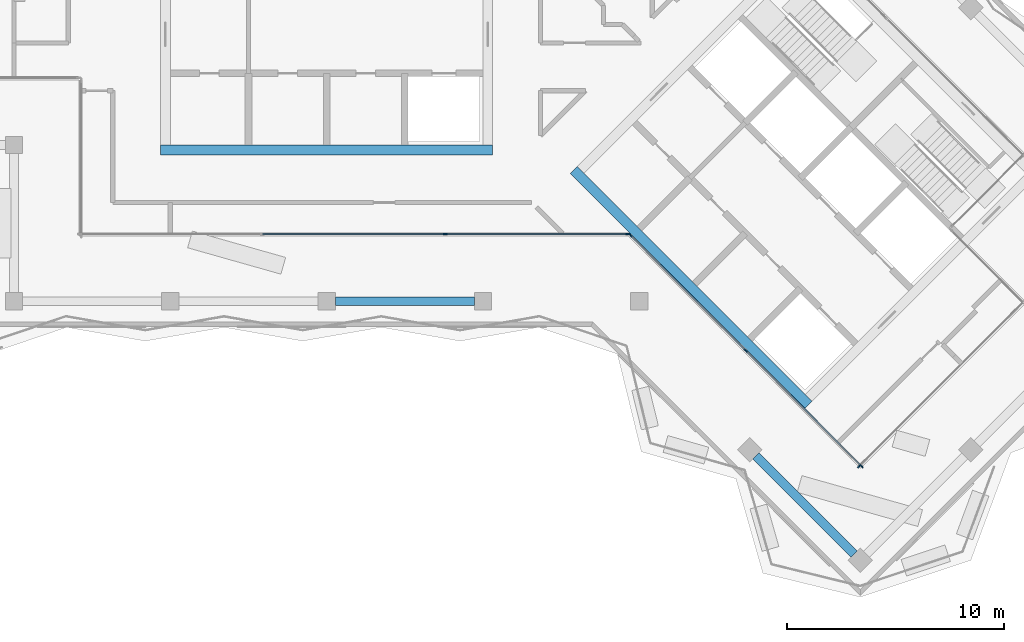
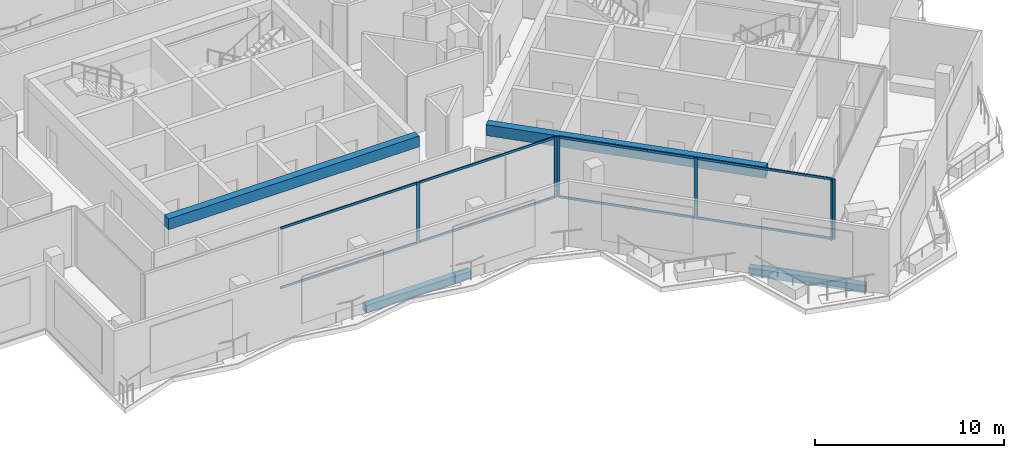
# One storey, part 3 of 19: 14 members, 4 beams, 3 elements without a shape of their own.
"""IFC4 building model written with IfcOpenShell, lengths in metres."""

from ifc_helpers import new_model, si_unit, direction, frame, origin, origin_2d, place, context, subcontext, project, spatial, rectangle, extrude, material, material_profile, profile_set, type_object, element, aggregate, save


model = new_model("IFC4")

# Units and contexts
model_context = context("Model", 3, precision=1e-05, world=origin(), true_north=direction((0.0, 1.0)))
body_context = subcontext(model_context, "Body", "Model", "MODEL_VIEW")
ifc_project = project(units=[si_unit("LENGTHUNIT", "METRE"), si_unit("AREAUNIT", "SQUARE_METRE"), si_unit("VOLUMEUNIT", "CUBIC_METRE"), si_unit("PLANEANGLEUNIT", "RADIAN"), si_unit("MASSUNIT", "GRAM", prefix="KILO")], contexts=[model_context])

# Site, building, storey
site_placement = place(None, origin())
site = spatial("IfcSite", under=ifc_project, at=site_placement, CompositionType="ELEMENT")
building_placement = place(site_placement, origin())
building = spatial("IfcBuilding", under=site, at=building_placement, Name="Windrow Commons", CompositionType="ELEMENT")
storey_placement = place(building_placement, frame((0.0, 0.0, 230.4)))
storey = spatial("IfcBuildingStorey", under=building, at=storey_placement, Name="L63", CompositionType="ELEMENT", Elevation=230.4)

# Curtain wall, members
ifc_material_1 = material(Name="Clear laminated glass in Aluminium 6063-T6 anodised frame", Category="aluminium")
curtain_wall_type = type_object("IfcCurtainWallType", Name="Curtain wall CW2H sky lounge upper", PredefinedType="USERDEFINED", material=ifc_material_1)
placement = place(storey_placement, origin())
curtain_wall_1 = element("IfcCurtainWall", 1, at=placement, inside=storey, type_object=curtain_wall_type, Name="Curtain wall CW2H L63 12", ObjectType="UNITISED", PredefinedType="USERDEFINED")
ifc_material_2 = material(Name="Aluminium 6063-T6", Category="aluminium")
ifc_material_profile_1 = material_profile(ifc_material_2, rectangle(XDim=0.06, YDim=0.2, at=origin_2d()))
ifc_profile_set_1 = profile_set([ifc_material_profile_1], Name="Aluminium 6063-T6")
member_type_1 = type_object("IfcMemberType", Name="CW2H mullion 60x200", PredefinedType="MULLION", material=ifc_profile_set_1)
member_1_placement = place(storey_placement, frame((70.2637, 46.3, 0.0), z_axis=(0.0, 0.0, 1.0), x_axis=(0.0, 1.0, 0.0)))
member_1 = element("IfcMember", 2, at=member_1_placement, type_object=member_type_1, Name="CW2H mullion 3", PredefinedType="MULLION", context=body_context, shape_type="SweptSolid", body=[
    extrude(rectangle(XDim=0.06, YDim=0.2, at=origin_2d()), origin(), (0.0, 0.0, 1.0), 3.9),
])
member_2_placement = place(storey_placement, frame((78.6656, 46.3, 0.0), z_axis=(0.0, 0.0, 1.0), x_axis=(0.0, 1.0, 0.0)))
member_2 = element("IfcMember", 3, at=member_2_placement, type_object=member_type_1, Name="CW2H mullion 4", PredefinedType="MULLION", context=body_context, shape_type="SweptSolid", body=[
    extrude(rectangle(XDim=0.06, YDim=0.2, at=origin_2d()), origin(), (0.0, 0.0, 1.0), 3.9),
])

curtain_wall_2 = element("IfcCurtainWall", 4, at=placement, inside=storey, type_object=curtain_wall_type, Name="Curtain wall CW2H L63 13", ObjectType="UNITISED", PredefinedType="USERDEFINED")
member_3_placement = place(storey_placement, frame((78.7875, 46.2495, 0.0), z_axis=(0.0, 0.0, 1.0), x_axis=(0.7071067812, 0.7071067812, 0.0)))
member_3 = element("IfcMember", 5, at=member_3_placement, type_object=member_type_1, Name="CW2H mullion 1", PredefinedType="MULLION", context=body_context, shape_type="SweptSolid", body=[
    extrude(rectangle(XDim=0.06, YDim=0.2, at=origin_2d()), origin(), (0.0, 0.0, 1.0), 3.9),
])
member_4_placement = place(storey_placement, frame((84.1097, 40.9274, 0.0), z_axis=(0.0, 0.0, 1.0), x_axis=(0.7071067812, 0.7071067812, 0.0)))
member_4 = element("IfcMember", 6, at=member_4_placement, type_object=member_type_1, Name="CW2H mullion 2", PredefinedType="MULLION", context=body_context, shape_type="SweptSolid", body=[
    extrude(rectangle(XDim=0.06, YDim=0.2, at=origin_2d()), origin(), (0.0, 0.0, 1.0), 3.9),
])
member_5_placement = place(storey_placement, frame((89.4318, 35.6052, 0.0), z_axis=(0.0, 0.0, 1.0), x_axis=(0.7071067812, 0.7071067812, 0.0)))
member_5 = element("IfcMember", 7, at=member_5_placement, type_object=member_type_1, Name="CW2H mullion 3", PredefinedType="MULLION", context=body_context, shape_type="SweptSolid", body=[
    extrude(rectangle(XDim=0.06, YDim=0.2, at=origin_2d()), origin(), (0.0, 0.0, 1.0), 3.9),
])

# Curtain wall, member
curtain_wall_3 = element("IfcCurtainWall", 8, at=placement, inside=storey, type_object=curtain_wall_type, Name="Curtain wall CW2H L63 14", ObjectType="UNITISED", PredefinedType="USERDEFINED")
member_6_placement = place(storey_placement, frame((89.3328, 35.6052, 0.0), z_axis=(0.0, 0.0, 1.0), x_axis=(-0.7071021515, 0.7071114108, 0.0)))
member_6 = element("IfcMember", 9, at=member_6_placement, type_object=member_type_1, Name="CW2H mullion 1", PredefinedType="MULLION", context=body_context, shape_type="SweptSolid", body=[
    extrude(rectangle(XDim=0.06, YDim=0.2, at=origin_2d()), origin(), (0.0, 0.0, 1.0), 3.9),
])
aggregate(curtain_wall_3, [member_6])

# Member
ifc_material_3 = material(Name="Aluminium 6063-T6", Category="aluminium")
ifc_material_profile_2 = material_profile(ifc_material_3, rectangle(XDim=0.06, YDim=0.15, at=origin_2d()))
ifc_profile_set_2 = profile_set([ifc_material_profile_2], Name="Aluminium 6063-T6")
member_type_2 = type_object("IfcMemberType", Name="CW2H transom 60x150", PredefinedType="USERDEFINED", material=ifc_profile_set_2)
member_7_placement = place(storey_placement, frame((61.8619, 46.3, 0.03), z_axis=(1.0, 0.0, 0.0), x_axis=(0.0, 1.0, 0.0)))
member_7 = element("IfcMember", 10, at=member_7_placement, type_object=member_type_2, Name="CW2H transom 2.1", ObjectType="TRANSOM", PredefinedType="USERDEFINED", context=body_context, shape_type="SweptSolid", body=[
    extrude(rectangle(XDim=0.06, YDim=0.15, at=origin_2d()), origin(), (0.0, 0.0, 1.0), 8.3718),
])

member_8_placement = place(storey_placement, frame((61.8619, 46.3, 3.87), z_axis=(1.0, 0.0, 0.0), x_axis=(0.0, 1.0, 0.0)))
member_8 = element("IfcMember", 11, at=member_8_placement, type_object=member_type_2, Name="CW2H transom 2.2", ObjectType="TRANSOM", PredefinedType="USERDEFINED", context=body_context, shape_type="SweptSolid", body=[
    extrude(rectangle(XDim=0.06, YDim=0.15, at=origin_2d()), origin(), (0.0, 0.0, 1.0), 8.3718),
])

member_9_placement = place(storey_placement, frame((70.2937, 46.3, 0.03), z_axis=(1.0, 0.0, 0.0), x_axis=(0.0, 1.0, 0.0)))
member_9 = element("IfcMember", 12, at=member_9_placement, type_object=member_type_2, Name="CW2H transom 3.1", ObjectType="TRANSOM", PredefinedType="USERDEFINED", context=body_context, shape_type="SweptSolid", body=[
    extrude(rectangle(XDim=0.06, YDim=0.15, at=origin_2d()), origin(), (0.0, 0.0, 1.0), 8.3419),
])

member_10_placement = place(storey_placement, frame((70.2937, 46.3, 3.87), z_axis=(1.0, 0.0, 0.0), x_axis=(0.0, 1.0, 0.0)))
member_10 = element("IfcMember", 13, at=member_10_placement, type_object=member_type_2, Name="CW2H transom 3.2", ObjectType="TRANSOM", PredefinedType="USERDEFINED", context=body_context, shape_type="SweptSolid", body=[
    extrude(rectangle(XDim=0.06, YDim=0.15, at=origin_2d()), origin(), (0.0, 0.0, 1.0), 8.3419),
])

aggregate(curtain_wall_1, [member_1, member_2, member_7, member_8, member_9, member_10])

member_11_placement = place(storey_placement, frame((78.8087, 46.2283, 0.03), z_axis=(0.7071067812, -0.7071067812, 0.0), x_axis=(0.7071067812, 0.7071067812, 0.0)))
member_11 = element("IfcMember", 14, at=member_11_placement, type_object=member_type_2, Name="CW2H transom 1.1", ObjectType="TRANSOM", PredefinedType="USERDEFINED", context=body_context, shape_type="SweptSolid", body=[
    extrude(rectangle(XDim=0.06, YDim=0.15, at=origin_2d()), origin(), (0.0, 0.0, 1.0), 7.4666),
])

member_12_placement = place(storey_placement, frame((78.8087, 46.2283, 3.87), z_axis=(0.7071067812, -0.7071067812, 0.0), x_axis=(0.7071067812, 0.7071067812, 0.0)))
member_12 = element("IfcMember", 15, at=member_12_placement, type_object=member_type_2, Name="CW2H transom 1.2", ObjectType="TRANSOM", PredefinedType="USERDEFINED", context=body_context, shape_type="SweptSolid", body=[
    extrude(rectangle(XDim=0.06, YDim=0.15, at=origin_2d()), origin(), (0.0, 0.0, 1.0), 7.4666),
])

member_13_placement = place(storey_placement, frame((84.1309, 40.9061, 0.03), z_axis=(0.7071067812, -0.7071067812, 0.0), x_axis=(0.7071067812, 0.7071067812, 0.0)))
member_13 = element("IfcMember", 16, at=member_13_placement, type_object=member_type_2, Name="CW2H transom 2.1", ObjectType="TRANSOM", PredefinedType="USERDEFINED", context=body_context, shape_type="SweptSolid", body=[
    extrude(rectangle(XDim=0.06, YDim=0.15, at=origin_2d()), origin(), (0.0, 0.0, 1.0), 7.4666),
])

member_14_placement = place(storey_placement, frame((84.1309, 40.9061, 3.87), z_axis=(0.7071067812, -0.7071067812, 0.0), x_axis=(0.7071067812, 0.7071067812, 0.0)))
member_14 = element("IfcMember", 17, at=member_14_placement, type_object=member_type_2, Name="CW2H transom 2.2", ObjectType="TRANSOM", PredefinedType="USERDEFINED", context=body_context, shape_type="SweptSolid", body=[
    extrude(rectangle(XDim=0.06, YDim=0.15, at=origin_2d()), origin(), (0.0, 0.0, 1.0), 7.4666),
])

aggregate(curtain_wall_2, [member_3, member_4, member_5, member_11, member_12, member_13, member_14])

# Beams
ifc_material_4 = material(Name="Concrete C40/50", Category="concrete")
ifc_material_profile_3 = material_profile(ifc_material_4, rectangle(XDim=0.45, YDim=0.7, at=origin_2d()))
ifc_profile_set_3 = profile_set([ifc_material_profile_3], Name="Concrete C40/50")
beam_type_1 = type_object("IfcBeamType", Name="RC COUPLING BEAM 450x700 C40/50", PredefinedType="LINTEL", material=ifc_profile_set_3)
for number, where, z_axis, x_axis, name in (
    (18, (57.15, 50.175, 3.55), (1.0, 0.0, 0.0), (0.0, 1.0, 0.0), "Core A coupling beam outer-S"),
    (19, (76.1771, 49.2488, 3.55), (0.7071100491, -0.7071035132, 0.0), (0.7071035132, 0.7071100491, 0.0), "Core B coupling beam outer-S"),
):
    element("IfcBeam", number, at=place(storey_placement, frame(where, z_axis=z_axis, x_axis=x_axis)), inside=storey, type_object=beam_type_1, Name=name, PredefinedType="LINTEL", context=body_context, shape_type="SweptSolid", body=[
        extrude(rectangle(XDim=0.45, YDim=0.7, at=origin_2d()), origin(), (0.0, 0.0, 1.0), 15.3),
    ])
ifc_material_5 = material(Name="Concrete C40/50", Category="concrete")
ifc_material_profile_4 = material_profile(ifc_material_5, rectangle(XDim=0.4, YDim=0.5, at=origin_2d()))
ifc_profile_set_4 = profile_set([ifc_material_profile_4], Name="Concrete C40/50")
beam_type_2 = type_object("IfcBeamType", Name="RC EDGE BEAM 400x500 C40/50", PredefinedType="SPANDREL", material=ifc_profile_set_4)
beam_1_placement = place(storey_placement, frame((89.0995, 31.5534, -0.55), z_axis=(-0.7070989688, 0.7071145935, 0.0), x_axis=(-0.7071145935, -0.7070989688, 0.0)))
element("IfcBeam", 20, at=beam_1_placement, inside=storey, type_object=beam_type_2, Name="Edge beam L63 023", PredefinedType="SPANDREL", context=body_context, shape_type="SweptSolid", body=[
    extrude(rectangle(XDim=0.4, YDim=0.5, at=origin_2d()), origin(), (0.0, 0.0, 1.0), 6.4001),
])
beam_2_placement = place(storey_placement, frame((71.6, 43.2, -0.55), z_axis=(-1.0, 0.0, 0.0), x_axis=(0.0, -1.0, 0.0)))
element("IfcBeam", 21, at=beam_2_placement, inside=storey, type_object=beam_type_2, Name="Edge beam L63 024", PredefinedType="SPANDREL", context=body_context, shape_type="SweptSolid", body=[
    extrude(rectangle(XDim=0.4, YDim=0.5, at=origin_2d()), origin(), (0.0, 0.0, 1.0), 6.4),
])

save(model, "model.ifc")
